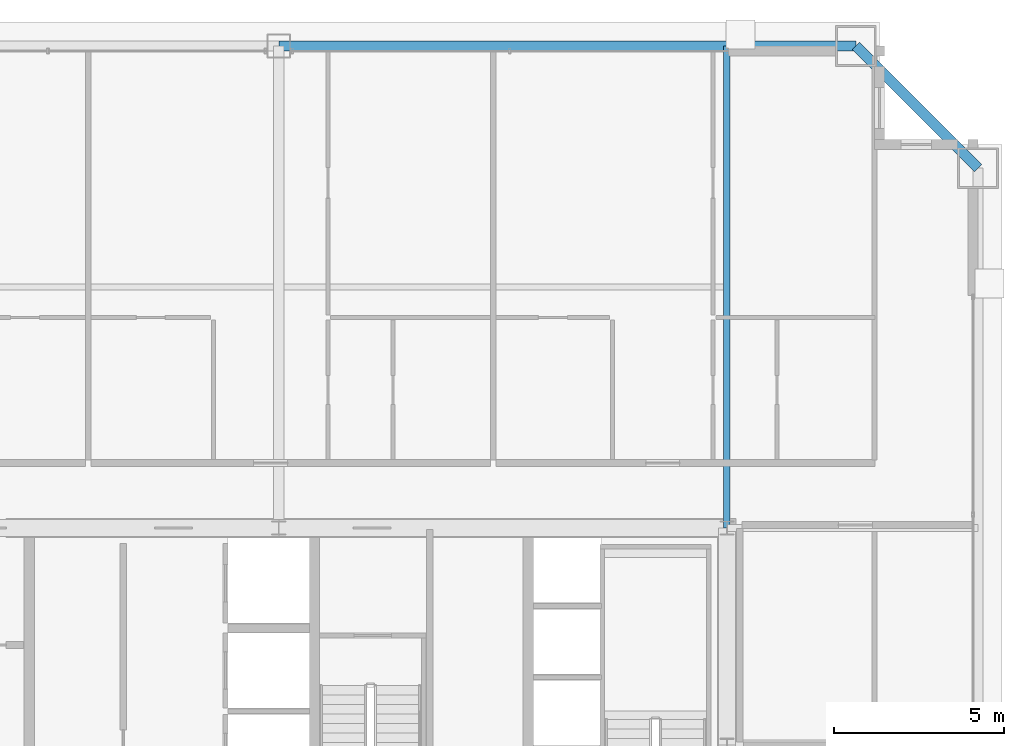
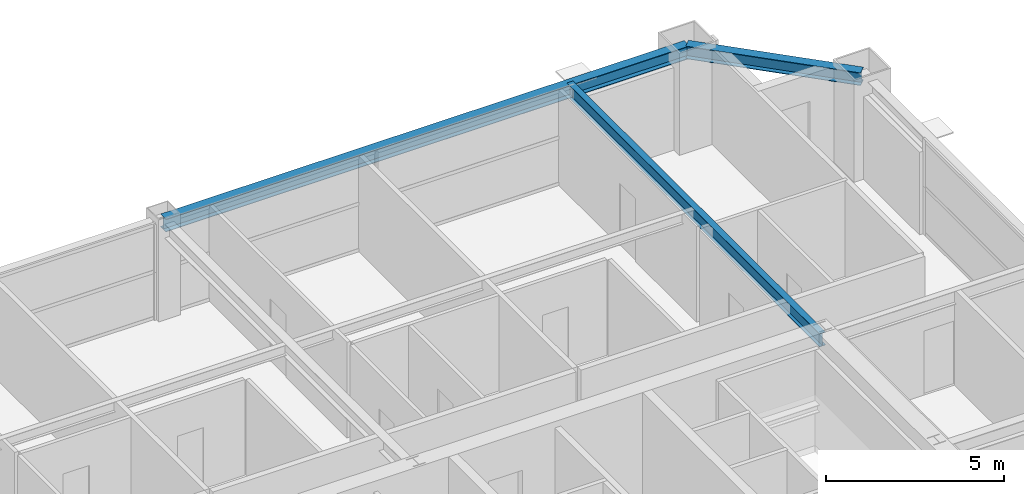
# One storey, part 29 of 37: 3 beams.
"""IFC4 building model written with IfcOpenShell, lengths in metres."""

from ifc_helpers import new_model, si_unit, direction, frame, origin, origin_2d, place, context, subcontext, project, spatial, i_section, extrude, source, transform, mapped, material, material_profile, profile_set, type_object, element, save


model = new_model("IFC4")

# Units and contexts
model_context = context("Model", 3, precision=1e-05, world=origin(), true_north=direction((0.0, 1.0)))
body_context = subcontext(model_context, "Body", "Model", "MODEL_VIEW")
ifc_project = project(units=[si_unit("LENGTHUNIT", "METRE"), si_unit("AREAUNIT", "SQUARE_METRE"), si_unit("VOLUMEUNIT", "CUBIC_METRE"), si_unit("PLANEANGLEUNIT", "RADIAN"), si_unit("MASSUNIT", "GRAM", prefix="KILO"), si_unit("THERMODYNAMICTEMPERATUREUNIT", "KELVIN"), si_unit("POWERUNIT", "WATT")], contexts=[model_context])

# Site, building, storey
site_placement = place(None, origin())
site = spatial("IfcSite", under=ifc_project, at=site_placement, CompositionType="ELEMENT")
building_placement = place(site_placement, origin())
building = spatial("IfcBuilding", under=site, at=building_placement, Name="Yuzanri Waterfront Tower", CompositionType="ELEMENT")
storey_placement = place(building_placement, frame((0.0, 0.0, 245.10009765625)))
storey = spatial("IfcBuildingStorey", under=building, at=storey_placement, Name="L65", CompositionType="ELEMENT", Elevation=245.10009765625)

# Beams
ifc_material_1 = material(Name="Steel Q355B", Category="steel")
ifc_material_profile_1 = material_profile(ifc_material_1, i_section(OverallWidth=0.300048828125, OverallDepth=0.43994140625, WebThickness=0.010986328125, FlangeThickness=0.01806640625, at=origin_2d()), Name="HM 440x300x11x18")
ifc_profile_set_1 = profile_set([ifc_material_profile_1], Name="Steel Q355B")
beam_type_1 = type_object("IfcBeamType", Name="Perimeter Spandrel Q355B HM 440x300", PredefinedType="SPANDREL", material=ifc_profile_set_1)
shared_shape_1 = source(origin(), body_context, "Body", "SweptSolid", [
    extrude(i_section(OverallWidth=0.300048828125, OverallDepth=0.43994140625, WebThickness=0.010986328125, FlangeThickness=0.01806640625, at=origin_2d()), origin(), (0.0, 0.0, 1.0), 5.091064453125),
])
beam_1_placement = place(storey_placement, frame((57.60009765625, 42.800048828125, 3.059814453125), z_axis=(-0.707130757816, 0.707082803744, 0.0), x_axis=(-0.707082803744, -0.707130757816, 0.0)))
element("IfcBeam", 1, at=beam_1_placement, inside=storey, type_object=beam_type_1, Name="L65 Perimeter Spandrel E3-N3", PredefinedType="SPANDREL", context=body_context, shape_type="MappedRepresentation", body=[
    mapped(shared_shape_1, transform((0.0, 0.0, 0.0), scale=1.0)),
])
shared_shape_2 = source(origin(), body_context, "Body", "SweptSolid", [
    extrude(i_section(OverallWidth=0.300048828125, OverallDepth=0.43994140625, WebThickness=0.010986328125, FlangeThickness=0.01806640625, at=origin_2d()), origin(), (0.0, 0.0, 1.0), 17.0),
])
beam_2_placement = place(storey_placement, frame((54.0, 46.39990234375, 3.059814453125), z_axis=(-1.0, 0.0, 0.0), x_axis=(0.0, -1.0, 0.0)))
element("IfcBeam", 2, at=beam_2_placement, inside=storey, type_object=beam_type_1, Name="L65 Perimeter Spandrel N3-N2", PredefinedType="SPANDREL", context=body_context, shape_type="MappedRepresentation", body=[
    mapped(shared_shape_2, transform((0.0, 0.0, 0.0), scale=1.0)),
])
ifc_material_2 = material(Name="Steel Q355B", Category="steel")
ifc_material_profile_2 = material_profile(ifc_material_2, i_section(OverallWidth=0.199951171875, OverallDepth=0.449951171875, WebThickness=0.009033203125, FlangeThickness=0.013916015625, at=origin_2d()), Name="HN 450x200x9x14")
ifc_profile_set_2 = profile_set([ifc_material_profile_2], Name="Steel Q355B")
beam_type_2 = type_object("IfcBeamType", Name="Secondary Floor Beam Q355B HN 450x200", PredefinedType="BEAM", material=ifc_profile_set_2)
shared_shape_3 = source(origin(), body_context, "Body", "SweptSolid", [
    extrude(i_section(OverallWidth=0.199951171875, OverallDepth=0.449951171875, WebThickness=0.009033203125, FlangeThickness=0.013916015625, at=origin_2d()), origin(), (0.0, 0.0, 1.0), 14.199951171875),
])
beam_3_placement = place(storey_placement, frame((50.199951171875, 32.199951171875, 3.054931640625), z_axis=(0.0, 1.0, 0.0), x_axis=(-1.0, 0.0, 0.0)))
element("IfcBeam", 3, at=beam_3_placement, inside=storey, type_object=beam_type_2, Name="L65 North-East Core Line Beam", PredefinedType="BEAM", context=body_context, shape_type="MappedRepresentation", body=[
    mapped(shared_shape_3, transform((0.0, 0.0, 0.0), scale=1.0)),
])

save(model, "model.ifc")
